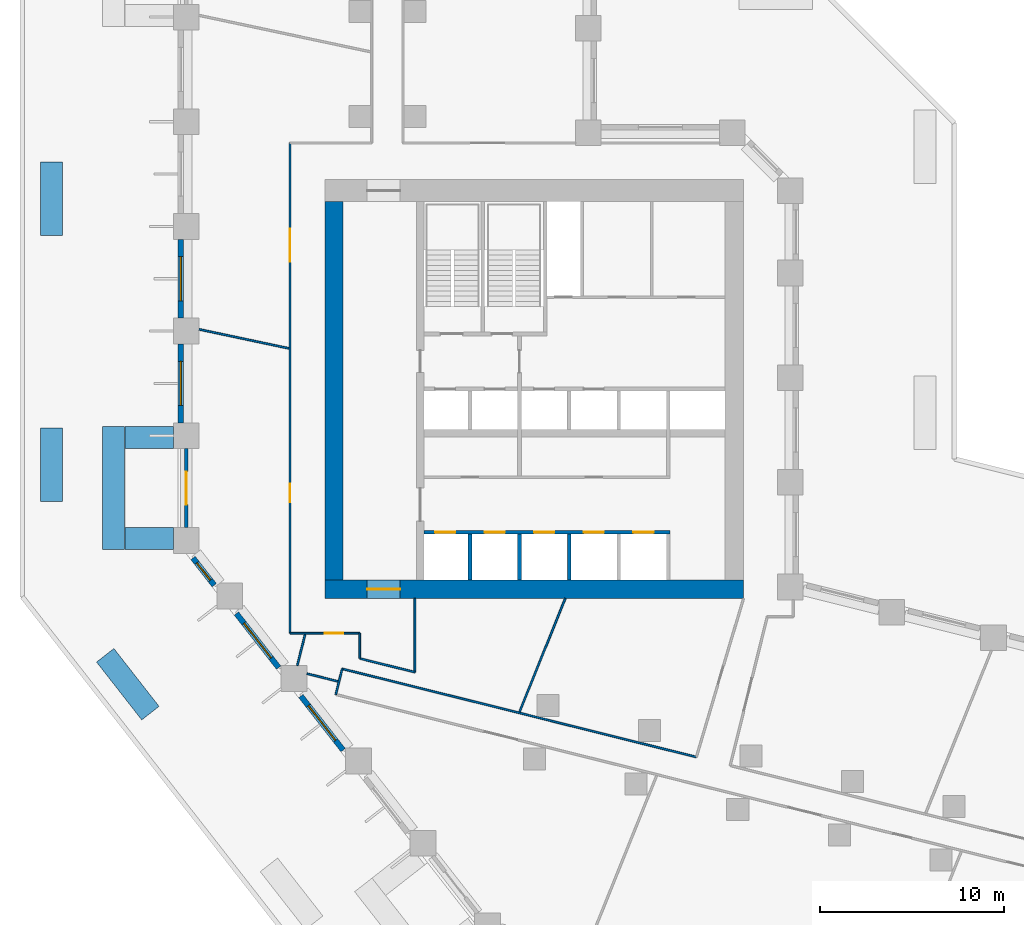
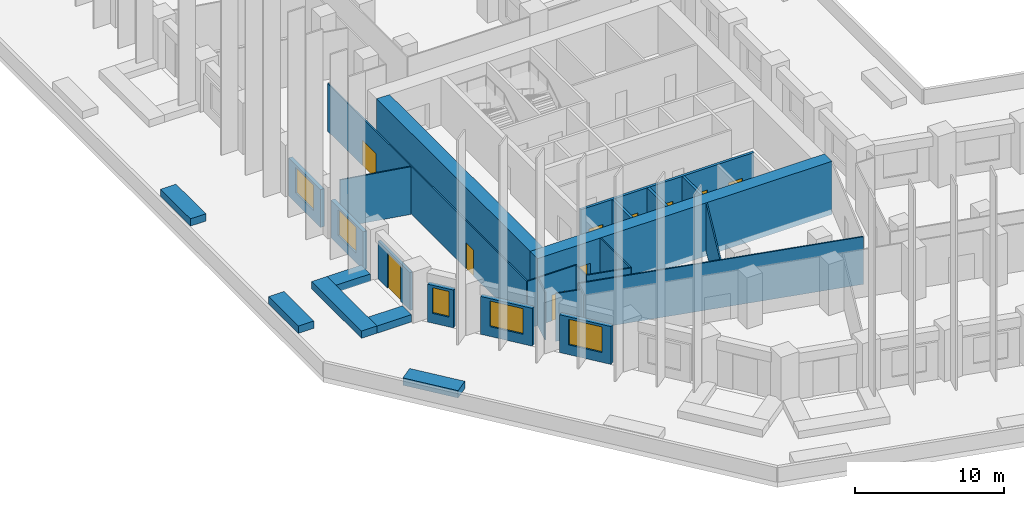
# One storey, part 4 of 13: 29 walls, 10 doors, 5 windows, 15 openings.
"""IFC4 building model written with IfcOpenShell, lengths in metres."""

import ifcopenshell
import ifcopenshell.guid

model = None  # the IFC model being written
_history = None  # IfcOwnerHistory: only IFC2X3 demands one
_inside = {}  # id of a spatial element -> (the spatial element, [elements in it])
_under = {}  # id of a project, library or spatial element -> (it, [spatial elements below it])
_declared = {}  # id of a project -> (the project, [libraries it declares])
_typed = {}  # id of a type object -> (the type object, [elements of that type])
_made_of = {}  # id of a material, layer set ... -> (it, [elements and type objects made of it])


def new_model(schema):
    """Start an empty IFC model of exactly this schema.

    Asked for "IFC4X3", IfcOpenShell would pick the latest addendum, in which some entities
    have other attributes; the version numbers below select the first issue.
    IFC2X3 requires an IfcOwnerHistory on every rooted entity: one is made here for all.
    """
    global model, _history
    if schema == "IFC4X3":
        model = ifcopenshell.file(schema_version=(4, 3, 0, 0))
    else:
        model = ifcopenshell.file(schema=schema)
    _inside.clear()
    _under.clear()
    _declared.clear()
    _typed.clear()
    _made_of.clear()
    _history = None
    if model.schema == "IFC2X3":
        org = make("IfcOrganization", Name="unknown")
        user = make(
            "IfcPersonAndOrganization",
            ThePerson=make("IfcPerson", FamilyName="unknown"),
            TheOrganization=org,
        )
        app = make(
            "IfcApplication",
            ApplicationDeveloper=org,
            Version="unknown",
            ApplicationFullName="unknown",
            ApplicationIdentifier="unknown",
        )
        _history = make(
            "IfcOwnerHistory",
            OwningUser=user,
            OwningApplication=app,
            ChangeAction="ADDED",
            CreationDate=0,
        )
    return model


def make(cls, **values):
    """One entity of the class cls with the attributes given. An attribute that is None is left unset."""
    return model.create_entity(
        cls, **{name: value for name, value in values.items() if value is not None}
    )


def rooted(cls, **values):
    """An entity with a GlobalId (a new one), such as an element, a storey or a relation."""
    return make(cls, GlobalId=ifcopenshell.guid.new(), OwnerHistory=_history, **values)


def si_unit(unit_type, name, prefix=None):
    """IfcSIUnit, for example si_unit("LENGTHUNIT", "METRE", prefix="MILLI")."""
    return make("IfcSIUnit", UnitType=unit_type, Prefix=prefix, Name=name)


def assignment(units):
    """IfcUnitAssignment: the units of a project."""
    return None if units is None else make("IfcUnitAssignment", Units=units)


def point(xyz):
    """IfcCartesianPoint."""
    return None if xyz is None else make("IfcCartesianPoint", Coordinates=xyz)


def direction(xyz):
    """IfcDirection."""
    return None if xyz is None else make("IfcDirection", DirectionRatios=xyz)


def frame(location, z_axis=None, x_axis=None):
    """IfcAxis2Placement3D, a coordinate frame: its origin and axes. An axis left out is left unset."""
    return make(
        "IfcAxis2Placement3D",
        Location=point(location),
        Axis=direction(z_axis),
        RefDirection=direction(x_axis),
    )


def frame_2d(location, x_axis=None):
    """IfcAxis2Placement2D, a coordinate frame in the plane: its origin and x axis."""
    return make(
        "IfcAxis2Placement2D", Location=point(location), RefDirection=direction(x_axis)
    )


def origin():
    """The frame at (0, 0, 0) with its axes left unset."""
    return frame((0.0, 0.0, 0.0))


def place(relative_to, where):
    """IfcLocalPlacement: puts the frame where relative to a parent placement (None: the world)."""
    return make(
        "IfcLocalPlacement", PlacementRelTo=relative_to, RelativePlacement=where
    )


def context(
    kind, dimensions, precision=None, world=None, true_north=None, identifier=None
):
    """IfcGeometricRepresentationContext, for example the 3D "Model" context."""
    return make(
        "IfcGeometricRepresentationContext",
        ContextIdentifier=identifier,
        ContextType=kind,
        CoordinateSpaceDimension=dimensions,
        Precision=precision,
        WorldCoordinateSystem=world,
        TrueNorth=true_north,
    )


def subcontext(parent, identifier, kind, view, scale=None):
    """IfcGeometricRepresentationSubContext, for example "Body" below "Model"."""
    return make(
        "IfcGeometricRepresentationSubContext",
        ContextIdentifier=identifier,
        ContextType=kind,
        ParentContext=parent,
        TargetScale=scale,
        TargetView=view,
    )


def project(units=None, contexts=None):
    """IfcProject with its units and contexts."""
    return rooted(
        "IfcProject",
        Name="project",
        RepresentationContexts=contexts,
        UnitsInContext=assignment(units),
    )


def spatial(cls, under=None, at=None, **own):
    """A site, building, storey or space (cls), placed at a placement, below another one or the project."""
    s = rooted(cls, ObjectPlacement=at, **own)
    if under is not None:
        _under.setdefault(under.id(), (under, []))[1].append(s)
    return s


def profile(cls, at=None, kind="AREA", **sizes):
    """A parametric profile (cls). Its sizes go by their IFC names, for example OverallWidth=200.0."""
    return make(cls, ProfileType=kind, Position=at, **sizes)


def rectangle(**sizes):
    """IfcRectangleProfileDef."""
    return profile("IfcRectangleProfileDef", **sizes)


def extrude(swept, where, along, depth):
    """IfcExtrudedAreaSolid: the profile swept, set in the frame where, extruded along a direction by depth."""
    return make(
        "IfcExtrudedAreaSolid",
        SweptArea=swept,
        Position=where,
        ExtrudedDirection=direction(along),
        Depth=depth,
    )


def shape(context_of_items, identifier, shape_type, items):
    """IfcShapeRepresentation: the items that make up one representation, for example the "Body"."""
    return make(
        "IfcShapeRepresentation",
        ContextOfItems=context_of_items,
        RepresentationIdentifier=identifier,
        RepresentationType=shape_type,
        Items=items,
    )


def material(Name=None, Category=None):
    """IfcMaterial."""
    return make("IfcMaterial", Name=Name, Category=Category)


def layer(
    of_material, thickness, ventilated=None, Name=None, Category=None, Priority=None
):
    """IfcMaterialLayer: one layer of a wall or slab, of a material (None: an air gap)."""
    return make(
        "IfcMaterialLayer",
        Material=of_material,
        LayerThickness=thickness,
        IsVentilated=ventilated,
        Name=Name,
        Category=Category,
        Priority=Priority,
    )


def layer_set(layers, Name=None):
    """IfcMaterialLayerSet."""
    return make("IfcMaterialLayerSet", MaterialLayers=layers, LayerSetName=Name)


def made_of(thing, what):
    """Note that an element or type object is made of a material, layer set ...; save() writes the relation."""
    if what is not None:
        _made_of.setdefault(what.id(), (what, []))[1].append(thing)
    return thing


def type_object(cls, material=None, **own):
    """A type object (cls), such as IfcWallType, which elements share."""
    return made_of(rooted(cls, **own), material)


def element(
    cls,
    number,
    at=None,
    inside=None,
    cuts=None,
    type_object=None,
    material=None,
    context=None,
    identifier="Body",
    shape_type=None,
    held_by="IfcProductDefinitionShape",
    body=None,
    shapes=None,
    **own,
):
    """One element of the class cls, such as IfcWall. Its Tag is "e" and its number.

    at: its placement. inside: the storey or other place that contains it. cuts: it is an
    opening in that element (IfcRelVoidsElement). A single representation is given by context,
    identifier, shape_type and body (its items); several are given by shapes. held_by: the class
    of the entity that holds the representations. save() writes the other relations.
    """
    e = rooted(cls, Tag="e%d" % number, ObjectPlacement=at, **own)
    if body is not None:
        shapes = [shape(context, identifier, shape_type, body)]
    if shapes is not None:
        e.Representation = make(held_by, Representations=shapes)
    if inside is not None:
        _inside.setdefault(inside.id(), (inside, []))[1].append(e)
    if cuts is not None:
        rooted(
            "IfcRelVoidsElement", RelatingBuildingElement=cuts, RelatedOpeningElement=e
        )
    if type_object is not None:
        _typed.setdefault(type_object.id(), (type_object, []))[1].append(e)
    return made_of(e, material)


def fill(opening, filler):
    """IfcRelFillsElement: the door or window that sits in an opening."""
    return rooted(
        "IfcRelFillsElement",
        RelatingOpeningElement=opening,
        RelatedBuildingElement=filler,
    )


def aggregate(whole, parts):
    """IfcRelAggregates: a whole, such as a stair, and the parts it consists of."""
    return rooted("IfcRelAggregates", RelatingObject=whole, RelatedObjects=parts)


def save(model, path):
    """Write the relations noted so far, then the file.

    IfcRelAggregates (storeys below a building ...), IfcRelContainedInSpatialStructure (elements
    in a storey), IfcRelDefinesByType, IfcRelAssociatesMaterial and IfcRelDeclares: one each for
    every whole, place, type object, material and project.
    """
    for whole, parts in _under.values():
        aggregate(whole, parts)
    for where, things in _inside.values():
        rooted(
            "IfcRelContainedInSpatialStructure",
            RelatedElements=things,
            RelatingStructure=where,
        )
    for kind, things in _typed.values():
        rooted("IfcRelDefinesByType", RelatedObjects=things, RelatingType=kind)
    for what, things in _made_of.values():
        rooted("IfcRelAssociatesMaterial", RelatedObjects=things, RelatingMaterial=what)
    for by, libraries in _declared.values():
        rooted("IfcRelDeclares", RelatingContext=by, RelatedDefinitions=libraries)
    model.write(path)


model = new_model("IFC4")

# Units and contexts
model_context = context("Model", 3, precision=1e-05, world=origin(), true_north=direction((0.0, 1.0)))
body_context = subcontext(model_context, "Body", "Model", "MODEL_VIEW")
ifc_project = project(units=[si_unit("LENGTHUNIT", "METRE"), si_unit("AREAUNIT", "SQUARE_METRE"), si_unit("VOLUMEUNIT", "CUBIC_METRE"), si_unit("PLANEANGLEUNIT", "RADIAN"), si_unit("MASSUNIT", "GRAM", prefix="KILO")], contexts=[model_context])

# Site, building, storey
site_placement = place(None, origin())
site = spatial("IfcSite", under=ifc_project, at=site_placement, CompositionType="ELEMENT")
building_placement = place(site_placement, origin())
building = spatial("IfcBuilding", under=site, at=building_placement, Name="Meshkara Civic Tower", CompositionType="ELEMENT")
storey_placement = place(building_placement, frame((0.0, 0.0, 33.0)))
storey = spatial("IfcBuildingStorey", under=building, at=storey_placement, Name="L06", CompositionType="ELEMENT", Elevation=33.0)

# Wall, opening, door
ifc_material_1 = material(Name="Concrete C80", Category="concrete")
ifc_layer_1 = layer(ifc_material_1, 1.0)
ifc_layer_set_1 = layer_set([ifc_layer_1], Name="Core ring wall 1000 C80")
wall_type_1 = type_object("IfcWallType", Name="Core ring wall 1000 C80", PredefinedType="SHEAR", material=ifc_layer_set_1)
wall_1_placement = place(storey_placement, frame((8.0, 14.60009765625, -0.449951171875), z_axis=(0.0, 0.0, 1.0), x_axis=(1.0, 0.0, 0.0)))
wall_1 = element("IfcWall", 1, at=wall_1_placement, inside=storey, type_object=wall_type_1, Name="L06-C001", PredefinedType="SHEAR", context=body_context, shape_type="SweptSolid", body=[
    extrude(rectangle(XDim=22.800048828125, YDim=1.0, at=frame_2d((11.39990234375, 0.0))), origin(), (0.0, 0.0, 1.0), 4.349853515625),
])
opening_1_placement = place(wall_1_placement, frame((2.300048828125, 0.0, 0.449951171875)))
opening_1 = element("IfcOpeningElement", 2, at=opening_1_placement, cuts=wall_1, Name="Opening L06-K021", PredefinedType="OPENING", context=body_context, shape_type="SweptSolid", body=[
    extrude(rectangle(XDim=1.800048828125, YDim=2.10009765625, at=frame_2d((0.89990234375, 1.050048828125))), frame((0.0, 0.510009765625, 0.0), z_axis=(0.0, -1.0, 0.0), x_axis=(1.0, 0.0, 0.0)), (0.0, 0.0, 1.0), 1.02001953125),
])
ifc_material_2 = material(Name="Fire-rated door leaf in steel frame", Category="steel")
door_type_1 = type_object("IfcDoorType", Name="Core double door 1800 EI 60", OperationType="DOUBLE_DOOR_SINGLE_SWING", PredefinedType="DOOR", material=ifc_material_2)
door_1_placement = place(opening_1_placement, origin())
door_1 = element("IfcDoor", 3, at=door_1_placement, inside=storey, type_object=door_type_1, Name="L06-K021", OperationType="DOUBLE_DOOR_SINGLE_SWING", OverallHeight=2.10009765625, OverallWidth=1.800048828125, PredefinedType="DOOR", context=body_context, shape_type="SweptSolid", body=[
    extrude(rectangle(XDim=1.800048828125, YDim=2.10009765625, at=frame_2d((0.89990234375, 1.050048828125))), frame((0.0, 0.02490234375, 0.0), z_axis=(0.0, -1.0, 0.0), x_axis=(1.0, 0.0, 0.0)), (0.0, 0.0, 1.0), 0.050048828125),
])
fill(opening_1, door_1)

# Wall
wall_2_placement = place(storey_placement, frame((8.5, 15.10009765625, -0.449951171875), z_axis=(0.0, 0.0, 1.0), x_axis=(0.0, 1.0, 0.0)))
element("IfcWall", 4, at=wall_2_placement, inside=storey, type_object=wall_type_1, Name="L06-C003", PredefinedType="SHEAR", context=body_context, shape_type="SweptSolid", body=[
    extrude(rectangle(XDim=20.599853515625, YDim=1.0, at=frame_2d((10.2998046875, 0.0))), origin(), (0.0, 0.0, 1.0), 4.349853515625),
])

# Wall, opening, door
ifc_material_3 = material(Name="Corridor wall 100")
ifc_layer_2 = layer(ifc_material_3, 0.10009765625)
ifc_layer_set_2 = layer_set([ifc_layer_2], Name="Corridor wall 100")
wall_type_2 = type_object("IfcWallType", Name="Corridor wall 100", PredefinedType="PARTITIONING", material=ifc_layer_set_2)
wall_3_placement = place(storey_placement, frame((6.10009765625, 12.199951171875, 0.0), z_axis=(0.0, 0.0, 1.0), x_axis=(1.0, 0.0, 0.0)))
wall_3 = element("IfcWall", 5, at=wall_3_placement, inside=storey, type_object=wall_type_2, Name="L06-W004", PredefinedType="PARTITIONING", context=body_context, shape_type="SweptSolid", body=[
    extrude(rectangle(XDim=3.7998046875, YDim=0.10009765625, at=frame_2d((1.89990234375, 0.0))), origin(), (0.0, 0.0, 1.0), 3.89990234375),
])
opening_2_placement = place(wall_3_placement, frame((1.902099609375, 0.0, 0.0)))
opening_2 = element("IfcOpeningElement", 6, at=opening_2_placement, cuts=wall_3, Name="Opening L06-D016", PredefinedType="OPENING", context=body_context, shape_type="SweptSolid", body=[
    extrude(rectangle(XDim=1.0, YDim=2.10009765625, at=frame_2d((0.5, 1.050048828125))), frame((0.0, 0.06005859375, 0.0), z_axis=(0.0, -1.0, 0.0), x_axis=(1.0, 0.0, 0.0)), (0.0, 0.0, 1.0), 0.1201171875),
])
ifc_material_4 = material(Name="Door 1000 x 2100")
door_type_2 = type_object("IfcDoorType", Name="Door 1000 x 2100", OperationType="SINGLE_SWING_LEFT", PredefinedType="DOOR", material=ifc_material_4)
door_2_placement = place(opening_2_placement, origin())
door_2 = element("IfcDoor", 7, at=door_2_placement, inside=storey, type_object=door_type_2, Name="L06-D016", OperationType="SINGLE_SWING_LEFT", OverallHeight=2.10009765625, OverallWidth=1.0, PredefinedType="DOOR", context=body_context, shape_type="SweptSolid", body=[
    extrude(rectangle(XDim=1.0, YDim=2.10009765625, at=frame_2d((0.5, 1.050048828125))), frame((0.0, 0.02490234375, 0.0), z_axis=(0.0, -1.0, 0.0), x_axis=(1.0, 0.0, 0.0)), (0.0, 0.0, 1.0), 0.050048828125),
])
fill(opening_2, door_2)

# Wall, openings, doors
wall_4_placement = place(storey_placement, frame((6.10009765625, 38.89990234375, 0.0), z_axis=(0.0, 0.0, 1.0), x_axis=(0.0, -1.0, 0.0)))
wall_4 = element("IfcWall", 8, at=wall_4_placement, inside=storey, type_object=wall_type_2, Name="L06-W005", PredefinedType="PARTITIONING", context=body_context, shape_type="SweptSolid", body=[
    extrude(rectangle(XDim=26.699951171875, YDim=0.10009765625, at=frame_2d((13.35009765625, 0.0))), origin(), (0.0, 0.0, 1.0), 3.89990234375),
])
opening_3_placement = place(wall_4_placement, frame((18.568115234375, 0.0, 0.0)))
opening_3 = element("IfcOpeningElement", 9, at=opening_3_placement, cuts=wall_4, Name="Opening L06-D017", PredefinedType="OPENING", context=body_context, shape_type="SweptSolid", body=[
    extrude(rectangle(XDim=1.0, YDim=2.10009765625, at=frame_2d((0.5, 1.050048828125))), frame((0.0, 0.06005859375, 0.0), z_axis=(0.0, -1.0, 0.0), x_axis=(1.0, 0.0, 0.0)), (0.0, 0.0, 1.0), 0.1201171875),
])
opening_4_placement = place(wall_4_placement, frame((4.679931640625, 0.0, 0.0)))
opening_4 = element("IfcOpeningElement", 10, at=opening_4_placement, cuts=wall_4, Name="Opening L06-D018", PredefinedType="OPENING", context=body_context, shape_type="SweptSolid", body=[
    extrude(rectangle(XDim=1.800048828125, YDim=2.10009765625, at=frame_2d((0.89990234375, 1.050048828125))), frame((0.0, 0.06005859375, 0.0), z_axis=(0.0, -1.0, 0.0), x_axis=(1.0, 0.0, 0.0)), (0.0, 0.0, 1.0), 0.1201171875),
])
door_3_placement = place(opening_3_placement, origin())
door_3 = element("IfcDoor", 11, at=door_3_placement, inside=storey, type_object=door_type_2, Name="L06-D017", OperationType="SINGLE_SWING_LEFT", OverallHeight=2.10009765625, OverallWidth=1.0, PredefinedType="DOOR", context=body_context, shape_type="SweptSolid", body=[
    extrude(rectangle(XDim=1.0, YDim=2.10009765625, at=frame_2d((0.5, 1.050048828125))), frame((0.0, 0.02490234375, 0.0), z_axis=(0.0, -1.0, 0.0), x_axis=(1.0, 0.0, 0.0)), (0.0, 0.0, 1.0), 0.050048828125),
])
fill(opening_3, door_3)
ifc_material_5 = material(Name="Door pair 1800 x 2100")
door_type_3 = type_object("IfcDoorType", Name="Door pair 1800 x 2100", OperationType="SINGLE_SWING_LEFT", PredefinedType="DOOR", material=ifc_material_5)
door_4_placement = place(opening_4_placement, origin())
door_4 = element("IfcDoor", 12, at=door_4_placement, inside=storey, type_object=door_type_3, Name="L06-D018", OperationType="DOUBLE_DOOR_SINGLE_SWING", OverallHeight=2.10009765625, OverallWidth=1.800048828125, PredefinedType="DOOR", context=body_context, shape_type="SweptSolid", body=[
    extrude(rectangle(XDim=1.800048828125, YDim=2.10009765625, at=frame_2d((0.89990234375, 1.050048828125))), frame((0.0, 0.02490234375, 0.0), z_axis=(0.0, -1.0, 0.0), x_axis=(1.0, 0.0, 0.0)), (0.0, 0.0, 1.0), 0.050048828125),
])
fill(opening_4, door_4)

# Walls
wall_5_placement = place(storey_placement, frame((8.944091796875, 10.263916015625, 0.0), z_axis=(0.0, 0.0, 1.0), x_axis=(0.970300504447, -0.241902730595, 0.0)))
element("IfcWall", 13, at=wall_5_placement, inside=storey, type_object=wall_type_2, Name="L06-W007", PredefinedType="PARTITIONING", context=body_context, shape_type="SweptSolid", body=[
    extrude(rectangle(XDim=19.879150390625, YDim=0.10009765625, at=frame_2d((9.939453125, 0.0))), origin(), (0.0, 0.0, 1.0), 3.89990234375),
])
wall_6_placement = place(storey_placement, frame((8.944091796875, 10.263916015625, 0.0), z_axis=(0.0, 0.0, 1.0), x_axis=(-0.242297077633, -0.970202105837, 0.0)))
element("IfcWall", 14, at=wall_6_placement, inside=storey, type_object=wall_type_2, Name="L06-W008", PredefinedType="PARTITIONING", context=body_context, shape_type="SweptSolid", body=[
    extrude(rectangle(XDim=1.44482421875, YDim=0.10009765625, at=frame_2d((0.722412109375, 0.0))), origin(), (0.0, 0.0, 1.0), 3.89990234375),
])
wall_7_placement = place(storey_placement, frame((9.89990234375, 10.825927734375, 0.0), z_axis=(0.0, 0.0, 1.0), x_axis=(0.970290953223, -0.241941038466, 0.0)))
element("IfcWall", 15, at=wall_7_placement, inside=storey, type_object=wall_type_2, Name="L06-W009", PredefinedType="PARTITIONING", context=body_context, shape_type="SweptSolid", body=[
    extrude(rectangle(XDim=3.091796875, YDim=0.10009765625, at=frame_2d((1.5458984375, 0.0))), origin(), (0.0, 0.0, 1.0), 3.89990234375),
])
wall_8_placement = place(storey_placement, frame((9.89990234375, 12.199951171875, 0.0), z_axis=(0.0, 0.0, 1.0), x_axis=(0.0, -1.0, 0.0)))
element("IfcWall", 16, at=wall_8_placement, inside=storey, type_object=wall_type_2, Name="L06-W010", PredefinedType="PARTITIONING", context=body_context, shape_type="SweptSolid", body=[
    extrude(rectangle(XDim=1.3740234375, YDim=0.10009765625, at=frame_2d((0.68701171875, 0.0))), origin(), (0.0, 0.0, 1.0), 3.89990234375),
])
wall_9_placement = place(storey_placement, frame((12.89990234375, 10.077880859375, 0.0), z_axis=(0.0, 0.0, 1.0), x_axis=(0.0, 1.0, 0.0)))
element("IfcWall", 17, at=wall_9_placement, inside=storey, type_object=wall_type_2, Name="L06-W014", PredefinedType="PARTITIONING", context=body_context, shape_type="SweptSolid", body=[
    extrude(rectangle(XDim=4.022216796875, YDim=0.10009765625, at=frame_2d((2.01123046875, 0.0))), origin(), (0.0, 0.0, 1.0), 3.89990234375),
])

# Wall, opening, window
ifc_material_6 = material(Name="Insulated infill panel with bronze anodised aluminium cladding", Category="aluminium")
ifc_layer_3 = layer(ifc_material_6, 0.300048828125)
ifc_layer_set_3 = layer_set([ifc_layer_3], Name="EXTERNAL INFILL WALL 300")
wall_type_3 = type_object("IfcWallType", Name="EXTERNAL INFILL WALL 300", PredefinedType="SOLIDWALL", material=ifc_layer_set_3)
wall_10_placement = place(storey_placement, frame((0.14990234375, 33.655029296875, 0.0), z_axis=(0.0, 0.0, 1.0), x_axis=(0.0, -1.0, 0.0)))
wall_10 = element("IfcWall", 18, at=wall_10_placement, inside=storey, type_object=wall_type_3, Name="External wall", PredefinedType="SOLIDWALL", context=body_context, shape_type="SweptSolid", body=[
    extrude(rectangle(XDim=4.300048828125, YDim=0.300048828125, at=frame_2d((2.14990234375, 0.0))), origin(), (0.0, 0.0, 1.0), 3.10009765625),
])
opening_5_placement = place(wall_10_placement, frame((0.949951171875, 0.0, 0.800048828125)))
opening_5 = element("IfcOpeningElement", 19, at=opening_5_placement, cuts=wall_10, Name="Opening W7", PredefinedType="OPENING", context=body_context, shape_type="SweptSolid", body=[
    extrude(rectangle(XDim=2.39990234375, YDim=2.10009765625, at=frame_2d((1.199951171875, 1.050048828125))), frame((0.0, 0.159912109375, 0.0), z_axis=(0.0, -1.0, 0.0), x_axis=(1.0, 0.0, 0.0)), (0.0, 0.0, 1.0), 0.320068359375),
])
ifc_material_7 = material(Name="Tinted double glazing", Category="glass")
window_type_1 = type_object("IfcWindowType", Name="WINDOW 2400x2100", PartitioningType="DOUBLE_PANEL_VERTICAL", PredefinedType="WINDOW", material=ifc_material_7)
window_1_placement = place(opening_5_placement, origin())
window_1 = element("IfcWindow", 20, at=window_1_placement, inside=storey, type_object=window_type_1, Name="Window", OverallHeight=2.10009765625, OverallWidth=2.39990234375, PartitioningType="DOUBLE_PANEL_VERTICAL", PredefinedType="WINDOW", context=body_context, shape_type="SweptSolid", body=[
    extrude(rectangle(XDim=2.39990234375, YDim=2.10009765625, at=frame_2d((1.199951171875, 1.050048828125))), frame((0.0, 0.030029296875, 0.0), z_axis=(0.0, -1.0, 0.0), x_axis=(1.0, 0.0, 0.0)), (0.0, 0.0, 1.0), 0.06005859375),
])
fill(opening_5, window_1)

wall_11_placement = place(storey_placement, frame((0.14990234375, 27.955078125, 0.0), z_axis=(0.0, 0.0, 1.0), x_axis=(0.0, -1.0, 0.0)))
wall_11 = element("IfcWall", 21, at=wall_11_placement, inside=storey, type_object=wall_type_3, Name="External wall", PredefinedType="SOLIDWALL", context=body_context, shape_type="SweptSolid", body=[
    extrude(rectangle(XDim=4.300048828125, YDim=0.300048828125, at=frame_2d((2.14990234375, 0.0))), origin(), (0.0, 0.0, 1.0), 3.10009765625),
])
opening_6_placement = place(wall_11_placement, frame((0.949951171875, 0.0, 0.800048828125)))
opening_6 = element("IfcOpeningElement", 22, at=opening_6_placement, cuts=wall_11, Name="Opening W7", PredefinedType="OPENING", context=body_context, shape_type="SweptSolid", body=[
    extrude(rectangle(XDim=2.39990234375, YDim=2.10009765625, at=frame_2d((1.199951171875, 1.050048828125))), frame((0.0, 0.159912109375, 0.0), z_axis=(0.0, -1.0, 0.0), x_axis=(1.0, 0.0, 0.0)), (0.0, 0.0, 1.0), 0.320068359375),
])
window_2_placement = place(opening_6_placement, origin())
window_2 = element("IfcWindow", 23, at=window_2_placement, inside=storey, type_object=window_type_1, Name="Window", OverallHeight=2.10009765625, OverallWidth=2.39990234375, PartitioningType="DOUBLE_PANEL_VERTICAL", PredefinedType="WINDOW", context=body_context, shape_type="SweptSolid", body=[
    extrude(rectangle(XDim=2.39990234375, YDim=2.10009765625, at=frame_2d((1.199951171875, 1.050048828125))), frame((0.0, 0.030029296875, 0.0), z_axis=(0.0, -1.0, 0.0), x_axis=(1.0, 0.0, 0.0)), (0.0, 0.0, 1.0), 0.06005859375),
])
fill(opening_6, window_2)

wall_12_placement = place(storey_placement, frame((0.818115234375, 16.2958984375, 0.0), z_axis=(0.0, 0.0, 1.0), x_axis=(0.615985155343, -0.787757759973, 0.0)))
wall_12 = element("IfcWall", 24, at=wall_12_placement, inside=storey, type_object=wall_type_3, Name="External wall", PredefinedType="SOLIDWALL", context=body_context, shape_type="SweptSolid", body=[
    extrude(rectangle(XDim=1.874755859375, YDim=0.300048828125, at=frame_2d((0.9375, 0.0))), origin(), (0.0, 0.0, 1.0), 3.10009765625),
])
opening_7_placement = place(wall_12_placement, frame((0.3369140625, 0.0, 0.800048828125)))
opening_7 = element("IfcOpeningElement", 25, at=opening_7_placement, cuts=wall_12, Name="Opening W3", PredefinedType="OPENING", context=body_context, shape_type="SweptSolid", body=[
    extrude(rectangle(XDim=1.199951171875, YDim=2.10009765625, at=frame_2d((0.60009765625, 1.050048828125))), frame((0.0, 0.159912109375, 0.0), z_axis=(0.0, -1.0, 0.0), x_axis=(1.0, 0.0, 0.0)), (0.0, 0.0, 1.0), 0.320068359375),
])
ifc_material_8 = material(Name="Tinted double glazing", Category="glass")
window_type_2 = type_object("IfcWindowType", Name="WINDOW 1200x2100", PartitioningType="SINGLE_PANEL", PredefinedType="WINDOW", material=ifc_material_8)
window_3_placement = place(opening_7_placement, origin())
window_3 = element("IfcWindow", 26, at=window_3_placement, inside=storey, type_object=window_type_2, Name="Window", OverallHeight=2.10009765625, OverallWidth=1.199951171875, PartitioningType="SINGLE_PANEL", PredefinedType="WINDOW", context=body_context, shape_type="SweptSolid", body=[
    extrude(rectangle(XDim=1.199951171875, YDim=2.10009765625, at=frame_2d((0.60009765625, 1.050048828125))), frame((0.0, 0.030029296875, 0.0), z_axis=(0.0, -1.0, 0.0), x_axis=(1.0, 0.0, 0.0)), (0.0, 0.0, 1.0), 0.06005859375),
])
fill(opening_7, window_3)

wall_13_placement = place(storey_placement, frame((3.18310546875, 13.27001953125, 0.0), z_axis=(0.0, 0.0, 1.0), x_axis=(0.615564114897, -0.788086810225, 0.0)))
wall_13 = element("IfcWall", 27, at=wall_13_placement, inside=storey, type_object=wall_type_3, Name="External wall", PredefinedType="SOLIDWALL", context=body_context, shape_type="SweptSolid", body=[
    extrude(rectangle(XDim=3.734619140625, YDim=0.300048828125, at=frame_2d((1.8671875, 0.0))), origin(), (0.0, 0.0, 1.0), 3.10009765625),
])
opening_8_placement = place(wall_13_placement, frame((0.6669921875, 0.0, 0.800048828125)))
opening_8 = element("IfcOpeningElement", 28, at=opening_8_placement, cuts=wall_13, Name="Opening W7", PredefinedType="OPENING", context=body_context, shape_type="SweptSolid", body=[
    extrude(rectangle(XDim=2.39990234375, YDim=2.10009765625, at=frame_2d((1.199951171875, 1.050048828125))), frame((0.0, 0.159912109375, 0.0), z_axis=(0.0, -1.0, 0.0), x_axis=(1.0, 0.0, 0.0)), (0.0, 0.0, 1.0), 0.320068359375),
])
window_4_placement = place(opening_8_placement, origin())
window_4 = element("IfcWindow", 29, at=window_4_placement, inside=storey, type_object=window_type_1, Name="Window", OverallHeight=2.10009765625, OverallWidth=2.39990234375, PartitioningType="DOUBLE_PANEL_VERTICAL", PredefinedType="WINDOW", context=body_context, shape_type="SweptSolid", body=[
    extrude(rectangle(XDim=2.39990234375, YDim=2.10009765625, at=frame_2d((1.199951171875, 1.050048828125))), frame((0.0, 0.030029296875, 0.0), z_axis=(0.0, -1.0, 0.0), x_axis=(1.0, 0.0, 0.0)), (0.0, 0.0, 1.0), 0.06005859375),
])
fill(opening_8, window_4)

wall_14_placement = place(storey_placement, frame((6.69189453125, 8.778076171875, 0.0), z_axis=(0.0, 0.0, 1.0), x_axis=(0.615767067156, -0.787928244833, 0.0)))
wall_14 = element("IfcWall", 30, at=wall_14_placement, inside=storey, type_object=wall_type_3, Name="External wall", PredefinedType="SOLIDWALL", context=body_context, shape_type="SweptSolid", body=[
    extrude(rectangle(XDim=3.7353515625, YDim=0.300048828125, at=frame_2d((1.86767578125, 0.0))), origin(), (0.0, 0.0, 1.0), 3.10009765625),
])
opening_9_placement = place(wall_14_placement, frame((0.66796875, 0.0, 0.800048828125)))
opening_9 = element("IfcOpeningElement", 31, at=opening_9_placement, cuts=wall_14, Name="Opening W7", PredefinedType="OPENING", context=body_context, shape_type="SweptSolid", body=[
    extrude(rectangle(XDim=2.39990234375, YDim=2.10009765625, at=frame_2d((1.199951171875, 1.050048828125))), frame((0.0, 0.159912109375, 0.0), z_axis=(0.0, -1.0, 0.0), x_axis=(1.0, 0.0, 0.0)), (0.0, 0.0, 1.0), 0.320068359375),
])
window_5_placement = place(opening_9_placement, origin())
window_5 = element("IfcWindow", 32, at=window_5_placement, inside=storey, type_object=window_type_1, Name="Window", OverallHeight=2.10009765625, OverallWidth=2.39990234375, PartitioningType="DOUBLE_PANEL_VERTICAL", PredefinedType="WINDOW", context=body_context, shape_type="SweptSolid", body=[
    extrude(rectangle(XDim=2.39990234375, YDim=2.10009765625, at=frame_2d((1.199951171875, 1.050048828125))), frame((0.0, 0.030029296875, 0.0), z_axis=(0.0, -1.0, 0.0), x_axis=(1.0, 0.0, 0.0)), (0.0, 0.0, 1.0), 0.06005859375),
])
fill(opening_9, window_5)

# Wall, opening, door
ifc_material_9 = material(Name="Insulated infill panel with bronze anodised aluminium cladding", Category="aluminium")
ifc_layer_4 = layer(ifc_material_9, 0.199951171875)
ifc_layer_set_4 = layer_set([ifc_layer_4], Name="LOGGIA BACK WALL 200")
wall_type_4 = type_object("IfcWallType", Name="LOGGIA BACK WALL 200", PredefinedType="SOLIDWALL", material=ifc_layer_set_4)
wall_15_placement = place(storey_placement, frame((0.449951171875, 22.25390625, 0.0), z_axis=(0.0, 0.0, 1.0), x_axis=(0.0, -1.0, 0.0)))
wall_15 = element("IfcWall", 33, at=wall_15_placement, inside=storey, type_object=wall_type_4, Name="Loggia wall", PredefinedType="SOLIDWALL", context=body_context, shape_type="SweptSolid", body=[
    extrude(rectangle(XDim=4.2978515625, YDim=0.199951171875, at=frame_2d((2.14892578125, 0.0))), origin(), (0.0, 0.0, 1.0), 3.10009765625),
])
opening_10_placement = place(wall_15_placement, frame((1.2490234375, 0.0, 0.0)))
opening_10 = element("IfcOpeningElement", 34, at=opening_10_placement, cuts=wall_15, Name="Opening L06-L002", PredefinedType="OPENING", context=body_context, shape_type="SweptSolid", body=[
    extrude(rectangle(XDim=1.800048828125, YDim=2.89990234375, at=frame_2d((0.89990234375, 1.449951171875))), frame((0.0, 0.10986328125, 0.0), z_axis=(0.0, -1.0, 0.0), x_axis=(1.0, 0.0, 0.0)), (0.0, 0.0, 1.0), 0.219970703125),
])
ifc_material_10 = material(Name="Tinted double glazing", Category="glass")
door_type_4 = type_object("IfcDoorType", Name="LOGGIA DOOR 1800x2900", OperationType="DOUBLE_DOOR_SINGLE_SWING", PredefinedType="DOOR", material=ifc_material_10)
door_5_placement = place(opening_10_placement, origin())
door_5 = element("IfcDoor", 35, at=door_5_placement, inside=storey, type_object=door_type_4, Name="L06-L002", OperationType="DOUBLE_DOOR_SINGLE_SWING", OverallHeight=2.89990234375, OverallWidth=1.800048828125, PredefinedType="DOOR", context=body_context, shape_type="SweptSolid", body=[
    extrude(rectangle(XDim=1.800048828125, YDim=2.89990234375, at=frame_2d((0.89990234375, 1.449951171875))), frame((0.0, 0.02490234375, 0.0), z_axis=(0.0, -1.0, 0.0), x_axis=(1.0, 0.0, 0.0)), (0.0, 0.0, 1.0), 0.050048828125),
])
fill(opening_10, door_5)

# Walls
ifc_material_11 = material(Name="Concrete C40", Category="concrete")
ifc_layer_5 = layer(ifc_material_11, 1.199951171875)
ifc_layer_set_5 = layer_set([ifc_layer_5], Name="PLANTING BED")
wall_type_5 = type_object("IfcWallType", Name="PLANTING BED", PredefinedType="SOLIDWALL", material=ifc_layer_set_5)
wall_16_placement = place(storey_placement, frame((-1.501953125, 7.846923828125, 0.0), z_axis=(0.0, 0.0, 1.0), x_axis=(-0.615578892057, 0.788075267759, 0.0)))
element("IfcWall", 36, at=wall_16_placement, inside=storey, type_object=wall_type_5, Name="Planting bed", PredefinedType="SOLIDWALL", context=body_context, shape_type="SweptSolid", body=[
    extrude(rectangle(XDim=3.999755859375, YDim=1.199951171875, at=frame_2d((2.0, 0.0))), origin(), (0.0, 0.0, 1.0), 0.60009765625),
])
for number, where, z_axis, x_axis, name in (
    (37, (-6.8798828125, 19.37890625, 0.0), (0.0, 0.0, 1.0), (0.0, 1.0, 0.0), "Planting bed"),
    (38, (-6.8798828125, 33.864990234375, 0.0), (0.0, 0.0, 1.0), (0.0, 1.0, 0.0), "Planting bed"),
):
    element("IfcWall", number, at=place(storey_placement, frame(where, z_axis=z_axis, x_axis=x_axis)), inside=storey, type_object=wall_type_5, Name=name, PredefinedType="SOLIDWALL", context=body_context, shape_type="SweptSolid", body=[
        extrude(rectangle(XDim=4.0, YDim=1.199951171875, at=frame_2d((2.0, 0.0))), origin(), (0.0, 0.0, 1.0), 0.60009765625),
    ])
wall_17_placement = place(storey_placement, frame((-3.5, 23.455078125, 0.0), z_axis=(0.0, 0.0, 1.0), x_axis=(0.0, -1.0, 0.0)))
element("IfcWall", 39, at=wall_17_placement, inside=storey, type_object=wall_type_5, Name="Planting bed", PredefinedType="SOLIDWALL", context=body_context, shape_type="SweptSolid", body=[
    extrude(rectangle(XDim=6.7001953125, YDim=1.199951171875, at=frame_2d((3.35009765625, 0.0))), origin(), (0.0, 0.0, 1.0), 0.60009765625),
])
for number, where, z_axis, x_axis, name in (
    (40, (-0.25, 22.85498046875, 0.0), (0.0, 0.0, 1.0), (-1.0, 0.0, 0.0), "Planting bed"),
    (41, (-0.25, 17.35498046875, 0.0), (0.0, 0.0, 1.0), (-1.0, 0.0, 0.0), "Planting bed"),
):
    element("IfcWall", number, at=place(storey_placement, frame(where, z_axis=z_axis, x_axis=x_axis)), inside=storey, type_object=wall_type_5, Name=name, PredefinedType="SOLIDWALL", context=body_context, shape_type="SweptSolid", body=[
        extrude(rectangle(XDim=2.64990234375, YDim=1.199951171875, at=frame_2d((1.324951171875, 0.0))), origin(), (0.0, 0.0, 1.0), 0.60009765625),
    ])
ifc_material_12 = material(Name="Partition 100")
ifc_layer_6 = layer(ifc_material_12, 0.10009765625)
ifc_layer_set_6 = layer_set([ifc_layer_6], Name="Partition 100")
wall_type_6 = type_object("IfcWallType", Name="Partition 100", PredefinedType="PARTITIONING", material=ifc_layer_set_6)
wall_18_placement = place(storey_placement, frame((6.0400390625, 27.7119140625, 0.0), z_axis=(0.0, 0.0, 1.0), x_axis=(-0.978162574156, 0.207841233929, 0.0)))
element("IfcWall", 42, at=wall_18_placement, inside=storey, type_object=wall_type_6, Name="L06-W033", PredefinedType="PARTITIONING", context=body_context, shape_type="SweptSolid", body=[
    extrude(rectangle(XDim=4.999267578125, YDim=0.10009765625, at=frame_2d((2.49951171875, 0.0))), origin(), (0.0, 0.0, 1.0), 3.89990234375),
])
wall_19_placement = place(storey_placement, frame((6.922119140625, 12.137939453125, 0.0), z_axis=(0.0, 0.0, 1.0), x_axis=(-0.242437328426, -0.970167069007, 0.0)))
element("IfcWall", 43, at=wall_19_placement, inside=storey, type_object=wall_type_6, Name="L06-W034", PredefinedType="PARTITIONING", context=body_context, shape_type="SweptSolid", body=[
    extrude(rectangle(XDim=1.753173828125, YDim=0.10009765625, at=frame_2d((0.87646484375, 0.0))), origin(), (0.0, 0.0, 1.0), 3.89990234375),
])
wall_20_placement = place(storey_placement, frame((8.719970703125, 9.573974609375, 0.0), z_axis=(0.0, 0.0, 1.0), x_axis=(-0.97016712555, 0.242437102155, 0.0)))
element("IfcWall", 44, at=wall_20_placement, inside=storey, type_object=wall_type_6, Name="L06-W037", PredefinedType="PARTITIONING", context=body_context, shape_type="SweptSolid", body=[
    extrude(rectangle(XDim=1.749267578125, YDim=0.10009765625, at=frame_2d((0.87451171875, 0.0))), origin(), (0.0, 0.0, 1.0), 3.89990234375),
])
wall_21_placement = place(storey_placement, frame((18.59912109375, 7.9150390625, 0.0), z_axis=(0.0, 0.0, 1.0), x_axis=(0.374461839275, 0.927242325892, 0.0)))
element("IfcWall", 45, at=wall_21_placement, inside=storey, type_object=wall_type_6, Name="L06-W042", PredefinedType="PARTITIONING", context=body_context, shape_type="SweptSolid", body=[
    extrude(rectangle(XDim=6.67041015625, YDim=0.10009765625, at=frame_2d((3.335205078125, 0.0))), origin(), (0.0, 0.0, 1.0), 3.89990234375),
])

# Wall, openings, doors
ifc_material_13 = material(Name="Concrete C40/50", Category="concrete")
ifc_layer_7 = layer(ifc_material_13, 0.199951171875)
ifc_layer_set_7 = layer_set([ifc_layer_7], Name="Shaft wall 200 C40/50")
wall_type_7 = type_object("IfcWallType", Name="Shaft wall 200 C40/50", PredefinedType="SOLIDWALL", material=ifc_layer_set_7)
wall_22_placement = place(storey_placement, frame((13.39990234375, 17.699951171875, 0.0), z_axis=(0.0, 0.0, 1.0), x_axis=(1.0, 0.0, 0.0)))
wall_22 = element("IfcWall", 46, at=wall_22_placement, inside=storey, type_object=wall_type_7, Name="L06-C005", PredefinedType="SOLIDWALL", context=body_context, shape_type="SweptSolid", body=[
    extrude(rectangle(XDim=13.400146484375, YDim=0.199951171875, at=frame_2d((6.7001953125, 0.0))), origin(), (0.0, 0.0, 1.0), 3.89990234375),
])
opening_11_placement = place(wall_22_placement, frame((0.60009765625, 0.0, 0.0)))
opening_11 = element("IfcOpeningElement", 47, at=opening_11_placement, cuts=wall_22, Name="Opening L06-K001", PredefinedType="OPENING", context=body_context, shape_type="SweptSolid", body=[
    extrude(rectangle(XDim=1.10009765625, YDim=2.10009765625, at=frame_2d((0.550048828125, 1.050048828125))), frame((0.0, 0.10986328125, 0.0), z_axis=(0.0, -1.0, 0.0), x_axis=(1.0, 0.0, 0.0)), (0.0, 0.0, 1.0), 0.219970703125),
])
opening_12_placement = place(wall_22_placement, frame((3.300048828125, 0.0, 0.0)))
opening_12 = element("IfcOpeningElement", 48, at=opening_12_placement, cuts=wall_22, Name="Opening L06-K002", PredefinedType="OPENING", context=body_context, shape_type="SweptSolid", body=[
    extrude(rectangle(XDim=1.10009765625, YDim=2.10009765625, at=frame_2d((0.550048828125, 1.050048828125))), frame((0.0, 0.10986328125, 0.0), z_axis=(0.0, -1.0, 0.0), x_axis=(1.0, 0.0, 0.0)), (0.0, 0.0, 1.0), 0.219970703125),
])
opening_13_placement = place(wall_22_placement, frame((6.0, 0.0, 0.0)))
opening_13 = element("IfcOpeningElement", 49, at=opening_13_placement, cuts=wall_22, Name="Opening L06-K003", PredefinedType="OPENING", context=body_context, shape_type="SweptSolid", body=[
    extrude(rectangle(XDim=1.10009765625, YDim=2.10009765625, at=frame_2d((0.550048828125, 1.050048828125))), frame((0.0, 0.10986328125, 0.0), z_axis=(0.0, -1.0, 0.0), x_axis=(1.0, 0.0, 0.0)), (0.0, 0.0, 1.0), 0.219970703125),
])
opening_14_placement = place(wall_22_placement, frame((8.699951171875, 0.0, 0.0)))
opening_14 = element("IfcOpeningElement", 50, at=opening_14_placement, cuts=wall_22, Name="Opening L06-K004", PredefinedType="OPENING", context=body_context, shape_type="SweptSolid", body=[
    extrude(rectangle(XDim=1.10009765625, YDim=2.10009765625, at=frame_2d((0.550048828125, 1.050048828125))), frame((0.0, 0.10986328125, 0.0), z_axis=(0.0, -1.0, 0.0), x_axis=(1.0, 0.0, 0.0)), (0.0, 0.0, 1.0), 0.219970703125),
])
opening_15_placement = place(wall_22_placement, frame((11.39990234375, 0.0, 0.0)))
opening_15 = element("IfcOpeningElement", 51, at=opening_15_placement, cuts=wall_22, Name="Opening L06-K005", PredefinedType="OPENING", context=body_context, shape_type="SweptSolid", body=[
    extrude(rectangle(XDim=1.10009765625, YDim=2.10009765625, at=frame_2d((0.550048828125, 1.050048828125))), frame((0.0, 0.10986328125, 0.0), z_axis=(0.0, -1.0, 0.0), x_axis=(1.0, 0.0, 0.0)), (0.0, 0.0, 1.0), 0.219970703125),
])
ifc_material_14 = material(Name="Stainless steel landing door", Category="steel")
door_type_5 = type_object("IfcDoorType", Name="Lift landing door 1100", OperationType="SLIDING_TO_LEFT", PredefinedType="DOOR", material=ifc_material_14)
door_6_placement = place(opening_11_placement, origin())
door_6 = element("IfcDoor", 52, at=door_6_placement, inside=storey, type_object=door_type_5, Name="L06-K001", OperationType="SLIDING_TO_LEFT", OverallHeight=2.10009765625, OverallWidth=1.10009765625, PredefinedType="DOOR", context=body_context, shape_type="SweptSolid", body=[
    extrude(rectangle(XDim=1.10009765625, YDim=2.10009765625, at=frame_2d((0.550048828125, 1.050048828125))), frame((0.0, 0.02490234375, 0.0), z_axis=(0.0, -1.0, 0.0), x_axis=(1.0, 0.0, 0.0)), (0.0, 0.0, 1.0), 0.050048828125),
])
fill(opening_11, door_6)
door_7_placement = place(opening_12_placement, origin())
door_7 = element("IfcDoor", 53, at=door_7_placement, inside=storey, type_object=door_type_5, Name="L06-K002", OperationType="SLIDING_TO_LEFT", OverallHeight=2.10009765625, OverallWidth=1.10009765625, PredefinedType="DOOR", context=body_context, shape_type="SweptSolid", body=[
    extrude(rectangle(XDim=1.10009765625, YDim=2.10009765625, at=frame_2d((0.550048828125, 1.050048828125))), frame((0.0, 0.02490234375, 0.0), z_axis=(0.0, -1.0, 0.0), x_axis=(1.0, 0.0, 0.0)), (0.0, 0.0, 1.0), 0.050048828125),
])
fill(opening_12, door_7)
door_8_placement = place(opening_13_placement, origin())
door_8 = element("IfcDoor", 54, at=door_8_placement, inside=storey, type_object=door_type_5, Name="L06-K003", OperationType="SLIDING_TO_LEFT", OverallHeight=2.10009765625, OverallWidth=1.10009765625, PredefinedType="DOOR", context=body_context, shape_type="SweptSolid", body=[
    extrude(rectangle(XDim=1.10009765625, YDim=2.10009765625, at=frame_2d((0.550048828125, 1.050048828125))), frame((0.0, 0.02490234375, 0.0), z_axis=(0.0, -1.0, 0.0), x_axis=(1.0, 0.0, 0.0)), (0.0, 0.0, 1.0), 0.050048828125),
])
fill(opening_13, door_8)
door_9_placement = place(opening_14_placement, origin())
door_9 = element("IfcDoor", 55, at=door_9_placement, inside=storey, type_object=door_type_5, Name="L06-K004", OperationType="SLIDING_TO_LEFT", OverallHeight=2.10009765625, OverallWidth=1.10009765625, PredefinedType="DOOR", context=body_context, shape_type="SweptSolid", body=[
    extrude(rectangle(XDim=1.10009765625, YDim=2.10009765625, at=frame_2d((0.550048828125, 1.050048828125))), frame((0.0, 0.02490234375, 0.0), z_axis=(0.0, -1.0, 0.0), x_axis=(1.0, 0.0, 0.0)), (0.0, 0.0, 1.0), 0.050048828125),
])
fill(opening_14, door_9)
door_10_placement = place(opening_15_placement, origin())
door_10 = element("IfcDoor", 56, at=door_10_placement, inside=storey, type_object=door_type_5, Name="L06-K005", OperationType="SLIDING_TO_LEFT", OverallHeight=2.10009765625, OverallWidth=1.10009765625, PredefinedType="DOOR", context=body_context, shape_type="SweptSolid", body=[
    extrude(rectangle(XDim=1.10009765625, YDim=2.10009765625, at=frame_2d((0.550048828125, 1.050048828125))), frame((0.0, 0.02490234375, 0.0), z_axis=(0.0, -1.0, 0.0), x_axis=(1.0, 0.0, 0.0)), (0.0, 0.0, 1.0), 0.050048828125),
])
fill(opening_15, door_10)

# Walls
for number, where, z_axis, x_axis, name in (
    (57, (15.89990234375, 15.10009765625, 0.0), (0.0, 0.0, 1.0), (0.0, 1.0, 0.0), "L06-C012"),
    (58, (18.60009765625, 15.10009765625, 0.0), (0.0, 0.0, 1.0), (0.0, 1.0, 0.0), "L06-C015"),
    (59, (21.300048828125, 15.10009765625, 0.0), (0.0, 0.0, 1.0), (0.0, 1.0, 0.0), "L06-C018"),
):
    element("IfcWall", number, at=place(storey_placement, frame(where, z_axis=z_axis, x_axis=x_axis)), inside=storey, type_object=wall_type_7, Name=name, PredefinedType="SOLIDWALL", context=body_context, shape_type="SweptSolid", body=[
        extrude(rectangle(XDim=2.5, YDim=0.199951171875, at=frame_2d((1.25, 0.0))), origin(), (0.0, 0.0, 1.0), 3.89990234375),
    ])

save(model, "model.ifc")
